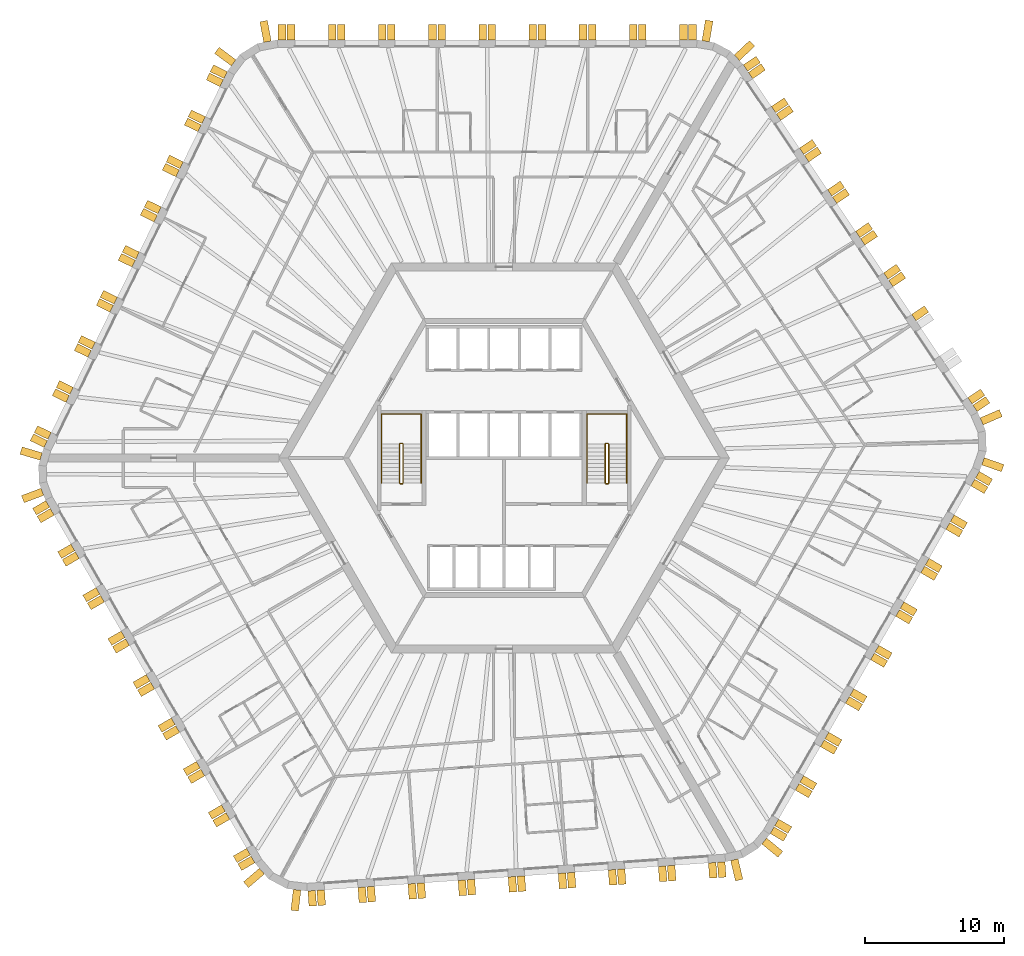
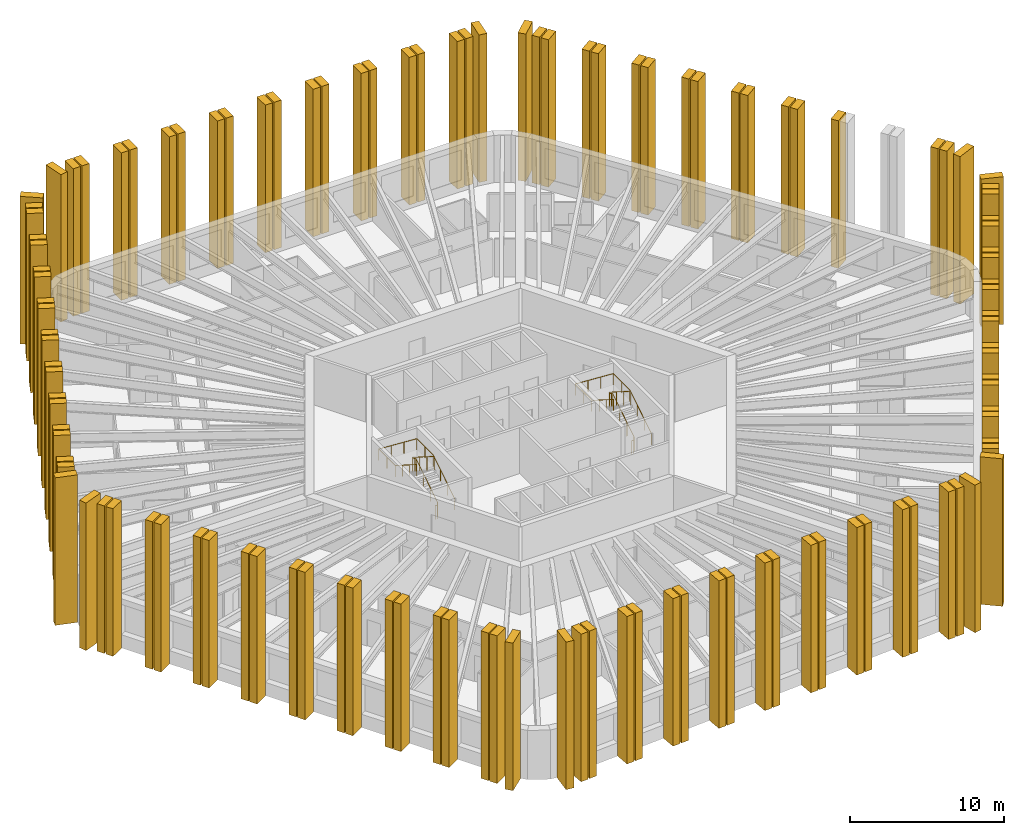
# One storey, part 11 of 12: 117 shading devices, 4 railings.
"""IFC4 building model written with IfcOpenShell, lengths in metres."""

import ifcopenshell
import ifcopenshell.guid

model = None  # the IFC model being written
_history = None  # IfcOwnerHistory: only IFC2X3 demands one
_inside = {}  # id of a spatial element -> (the spatial element, [elements in it])
_under = {}  # id of a project, library or spatial element -> (it, [spatial elements below it])
_declared = {}  # id of a project -> (the project, [libraries it declares])
_typed = {}  # id of a type object -> (the type object, [elements of that type])
_made_of = {}  # id of a material, layer set ... -> (it, [elements and type objects made of it])


def new_model(schema):
    """Start an empty IFC model of exactly this schema.

    Asked for "IFC4X3", IfcOpenShell would pick the latest addendum, in which some entities
    have other attributes; the version numbers below select the first issue.
    IFC2X3 requires an IfcOwnerHistory on every rooted entity: one is made here for all.
    """
    global model, _history
    if schema == "IFC4X3":
        model = ifcopenshell.file(schema_version=(4, 3, 0, 0))
    else:
        model = ifcopenshell.file(schema=schema)
    _inside.clear()
    _under.clear()
    _declared.clear()
    _typed.clear()
    _made_of.clear()
    _history = None
    if model.schema == "IFC2X3":
        org = make("IfcOrganization", Name="unknown")
        user = make(
            "IfcPersonAndOrganization",
            ThePerson=make("IfcPerson", FamilyName="unknown"),
            TheOrganization=org,
        )
        app = make(
            "IfcApplication",
            ApplicationDeveloper=org,
            Version="unknown",
            ApplicationFullName="unknown",
            ApplicationIdentifier="unknown",
        )
        _history = make(
            "IfcOwnerHistory",
            OwningUser=user,
            OwningApplication=app,
            ChangeAction="ADDED",
            CreationDate=0,
        )
    return model


def make(cls, **values):
    """One entity of the class cls with the attributes given. An attribute that is None is left unset."""
    return model.create_entity(
        cls, **{name: value for name, value in values.items() if value is not None}
    )


def rooted(cls, **values):
    """An entity with a GlobalId (a new one), such as an element, a storey or a relation."""
    return make(cls, GlobalId=ifcopenshell.guid.new(), OwnerHistory=_history, **values)


def si_unit(unit_type, name, prefix=None):
    """IfcSIUnit, for example si_unit("LENGTHUNIT", "METRE", prefix="MILLI")."""
    return make("IfcSIUnit", UnitType=unit_type, Prefix=prefix, Name=name)


def assignment(units):
    """IfcUnitAssignment: the units of a project."""
    return None if units is None else make("IfcUnitAssignment", Units=units)


def point(xyz):
    """IfcCartesianPoint."""
    return None if xyz is None else make("IfcCartesianPoint", Coordinates=xyz)


def direction(xyz):
    """IfcDirection."""
    return None if xyz is None else make("IfcDirection", DirectionRatios=xyz)


def frame(location, z_axis=None, x_axis=None):
    """IfcAxis2Placement3D, a coordinate frame: its origin and axes. An axis left out is left unset."""
    return make(
        "IfcAxis2Placement3D",
        Location=point(location),
        Axis=direction(z_axis),
        RefDirection=direction(x_axis),
    )


def frame_2d(location, x_axis=None):
    """IfcAxis2Placement2D, a coordinate frame in the plane: its origin and x axis."""
    return make(
        "IfcAxis2Placement2D", Location=point(location), RefDirection=direction(x_axis)
    )


def origin():
    """The frame at (0, 0, 0) with its axes left unset."""
    return frame((0.0, 0.0, 0.0))


def origin_2d():
    """The frame at (0, 0) in the plane with its x axis left unset."""
    return frame_2d((0.0, 0.0))


def place(relative_to, where):
    """IfcLocalPlacement: puts the frame where relative to a parent placement (None: the world)."""
    return make(
        "IfcLocalPlacement", PlacementRelTo=relative_to, RelativePlacement=where
    )


def context(
    kind, dimensions, precision=None, world=None, true_north=None, identifier=None
):
    """IfcGeometricRepresentationContext, for example the 3D "Model" context."""
    return make(
        "IfcGeometricRepresentationContext",
        ContextIdentifier=identifier,
        ContextType=kind,
        CoordinateSpaceDimension=dimensions,
        Precision=precision,
        WorldCoordinateSystem=world,
        TrueNorth=true_north,
    )


def subcontext(parent, identifier, kind, view, scale=None):
    """IfcGeometricRepresentationSubContext, for example "Body" below "Model"."""
    return make(
        "IfcGeometricRepresentationSubContext",
        ContextIdentifier=identifier,
        ContextType=kind,
        ParentContext=parent,
        TargetScale=scale,
        TargetView=view,
    )


def project(units=None, contexts=None):
    """IfcProject with its units and contexts."""
    return rooted(
        "IfcProject",
        Name="project",
        RepresentationContexts=contexts,
        UnitsInContext=assignment(units),
    )


def spatial(cls, under=None, at=None, **own):
    """A site, building, storey or space (cls), placed at a placement, below another one or the project."""
    s = rooted(cls, ObjectPlacement=at, **own)
    if under is not None:
        _under.setdefault(under.id(), (under, []))[1].append(s)
    return s


def polyline(points):
    """IfcPolyline through the points."""
    return make("IfcPolyline", Points=[point(p) for p in points])


def profile(cls, at=None, kind="AREA", **sizes):
    """A parametric profile (cls). Its sizes go by their IFC names, for example OverallWidth=200.0."""
    return make(cls, ProfileType=kind, Position=at, **sizes)


def circle(**sizes):
    """IfcCircleProfileDef."""
    return profile("IfcCircleProfileDef", **sizes)


def outline(outer, holes=None, kind="AREA"):
    """IfcArbitraryClosedProfileDef: a profile drawn as a closed curve; with holes, ...WithVoids."""
    if holes is None:
        return make("IfcArbitraryClosedProfileDef", ProfileType=kind, OuterCurve=outer)
    return make(
        "IfcArbitraryProfileDefWithVoids",
        ProfileType=kind,
        OuterCurve=outer,
        InnerCurves=holes,
    )


def extrude(swept, where, along, depth):
    """IfcExtrudedAreaSolid: the profile swept, set in the frame where, extruded along a direction by depth."""
    return make(
        "IfcExtrudedAreaSolid",
        SweptArea=swept,
        Position=where,
        ExtrudedDirection=direction(along),
        Depth=depth,
    )


def shape(context_of_items, identifier, shape_type, items):
    """IfcShapeRepresentation: the items that make up one representation, for example the "Body"."""
    return make(
        "IfcShapeRepresentation",
        ContextOfItems=context_of_items,
        RepresentationIdentifier=identifier,
        RepresentationType=shape_type,
        Items=items,
    )


def material(Name=None, Category=None):
    """IfcMaterial."""
    return make("IfcMaterial", Name=Name, Category=Category)


def layer(
    of_material, thickness, ventilated=None, Name=None, Category=None, Priority=None
):
    """IfcMaterialLayer: one layer of a wall or slab, of a material (None: an air gap)."""
    return make(
        "IfcMaterialLayer",
        Material=of_material,
        LayerThickness=thickness,
        IsVentilated=ventilated,
        Name=Name,
        Category=Category,
        Priority=Priority,
    )


def layer_set(layers, Name=None):
    """IfcMaterialLayerSet."""
    return make("IfcMaterialLayerSet", MaterialLayers=layers, LayerSetName=Name)


def made_of(thing, what):
    """Note that an element or type object is made of a material, layer set ...; save() writes the relation."""
    if what is not None:
        _made_of.setdefault(what.id(), (what, []))[1].append(thing)
    return thing


def type_object(cls, material=None, **own):
    """A type object (cls), such as IfcWallType, which elements share."""
    return made_of(rooted(cls, **own), material)


def element(
    cls,
    number,
    at=None,
    inside=None,
    cuts=None,
    type_object=None,
    material=None,
    context=None,
    identifier="Body",
    shape_type=None,
    held_by="IfcProductDefinitionShape",
    body=None,
    shapes=None,
    **own,
):
    """One element of the class cls, such as IfcWall. Its Tag is "e" and its number.

    at: its placement. inside: the storey or other place that contains it. cuts: it is an
    opening in that element (IfcRelVoidsElement). A single representation is given by context,
    identifier, shape_type and body (its items); several are given by shapes. held_by: the class
    of the entity that holds the representations. save() writes the other relations.
    """
    e = rooted(cls, Tag="e%d" % number, ObjectPlacement=at, **own)
    if body is not None:
        shapes = [shape(context, identifier, shape_type, body)]
    if shapes is not None:
        e.Representation = make(held_by, Representations=shapes)
    if inside is not None:
        _inside.setdefault(inside.id(), (inside, []))[1].append(e)
    if cuts is not None:
        rooted(
            "IfcRelVoidsElement", RelatingBuildingElement=cuts, RelatedOpeningElement=e
        )
    if type_object is not None:
        _typed.setdefault(type_object.id(), (type_object, []))[1].append(e)
    return made_of(e, material)


def aggregate(whole, parts):
    """IfcRelAggregates: a whole, such as a stair, and the parts it consists of."""
    return rooted("IfcRelAggregates", RelatingObject=whole, RelatedObjects=parts)


def save(model, path):
    """Write the relations noted so far, then the file.

    IfcRelAggregates (storeys below a building ...), IfcRelContainedInSpatialStructure (elements
    in a storey), IfcRelDefinesByType, IfcRelAssociatesMaterial and IfcRelDeclares: one each for
    every whole, place, type object, material and project.
    """
    for whole, parts in _under.values():
        aggregate(whole, parts)
    for where, things in _inside.values():
        rooted(
            "IfcRelContainedInSpatialStructure",
            RelatedElements=things,
            RelatingStructure=where,
        )
    for kind, things in _typed.values():
        rooted("IfcRelDefinesByType", RelatedObjects=things, RelatingType=kind)
    for what, things in _made_of.values():
        rooted("IfcRelAssociatesMaterial", RelatedObjects=things, RelatingMaterial=what)
    for by, libraries in _declared.values():
        rooted("IfcRelDeclares", RelatingContext=by, RelatedDefinitions=libraries)
    model.write(path)


model = new_model("IFC4")

# Units and contexts
model_context = context("Model", 3, precision=1e-05, world=origin(), true_north=direction((0.0, 1.0)))
body_context = subcontext(model_context, "Body", "Model", "MODEL_VIEW")
ifc_project = project(units=[si_unit("LENGTHUNIT", "METRE"), si_unit("AREAUNIT", "SQUARE_METRE"), si_unit("VOLUMEUNIT", "CUBIC_METRE"), si_unit("PLANEANGLEUNIT", "RADIAN"), si_unit("MASSUNIT", "GRAM", prefix="KILO")], contexts=[model_context])

# Site, building, storey
site_placement = place(None, origin())
site = spatial("IfcSite", under=ifc_project, at=site_placement, CompositionType="ELEMENT")
building_placement = place(site_placement, origin())
building = spatial("IfcBuilding", under=site, at=building_placement, Name="Tarnside Tower", CompositionType="ELEMENT")
storey_placement = place(building_placement, frame((0.0, 0.0, 37.5)))
storey = spatial("IfcBuildingStorey", under=building, at=storey_placement, Name="L06", CompositionType="ELEMENT", Elevation=37.5)

# Shading devices
ifc_material_1 = material(Name="Concrete C50/60 white precast", Category="concrete")
ifc_layer_1 = layer(ifc_material_1, 0.550048828125)
ifc_layer_set_1 = layer_set([ifc_layer_1], Name="Precast fin 550 x 1100")
shading_device_type_1 = type_object("IfcShadingDeviceType", Name="Precast fin 550 x 1100", PredefinedType="USERDEFINED", material=ifc_layer_set_1)
for number, where, z_axis, x_axis, name in (
    (1, (13.513916015625, 30.0, -0.14990234375), (1.0, 0.0, 0.0), (0.0, 1.0, 0.0), "Precast fin"),
    (2, (12.864013671875, 30.0, -0.14990234375), (1.0, 0.0, 0.0), (0.0, 1.0, 0.0), "Precast fin"),
    (3, (9.9140625, 30.0, -0.14990234375), (1.0, 0.0, 0.0), (0.0, 1.0, 0.0), "Precast fin"),
    (4, (9.263916015625, 30.0, -0.14990234375), (1.0, 0.0, 0.0), (0.0, 1.0, 0.0), "Precast fin"),
    (5, (6.31396484375, 30.0, -0.14990234375), (1.0, 0.0, 0.0), (0.0, 1.0, 0.0), "Precast fin"),
    (6, (5.6640625, 30.0, -0.14990234375), (1.0, 0.0, 0.0), (0.0, 1.0, 0.0), "Precast fin"),
    (7, (2.7138671875, 30.0, -0.14990234375), (1.0, 0.0, 0.0), (0.0, 1.0, 0.0), "Precast fin"),
    (8, (2.06396484375, 30.0, -0.14990234375), (1.0, 0.0, 0.0), (0.0, 1.0, 0.0), "Precast fin"),
    (9, (-0.885986328125, 30.0, -0.14990234375), (1.0, 0.0, 0.0), (0.0, 1.0, 0.0), "Precast fin"),
    (10, (-1.5361328125, 30.0, -0.14990234375), (1.0, 0.0, 0.0), (0.0, 1.0, 0.0), "Precast fin"),
    (11, (-4.486083984375, 30.0, -0.14990234375), (1.0, 0.0, 0.0), (0.0, 1.0, 0.0), "Precast fin"),
    (12, (-5.135986328125, 30.0, -0.14990234375), (1.0, 0.0, 0.0), (0.0, 1.0, 0.0), "Precast fin"),
    (13, (-8.0859375, 30.0, -0.14990234375), (1.0, 0.0, 0.0), (0.0, 1.0, 0.0), "Precast fin"),
    (14, (-8.736083984375, 30.0, -0.14990234375), (1.0, 0.0, 0.0), (0.0, 1.0, 0.0), "Precast fin"),
    (15, (-11.68603515625, 30.0, -0.14990234375), (1.0, 0.0, 0.0), (0.0, 1.0, 0.0), "Precast fin"),
    (16, (-12.3359375, 30.0, -0.14990234375), (1.0, 0.0, 0.0), (0.0, 1.0, 0.0), "Precast fin"),
    (17, (-15.2861328125, 30.0, -0.14990234375), (1.0, 0.0, 0.0), (0.0, 1.0, 0.0), "Precast fin"),
    (18, (-15.93603515625, 30.0, -0.14990234375), (1.0, 0.0, 0.0), (0.0, 1.0, 0.0), "Precast fin"),
    (19, (-19.977783203125, 27.474365234375, -0.14990234375), (0.438371146789, 0.898794046299, 0.0), (-0.898794046299, 0.438371146789, 0.0), "Precast fin"),
    (20, (-20.262939453125, 26.89013671875, -0.14990234375), (0.438371146789, 0.898794046299, 0.0), (-0.898794046299, 0.438371146789, 0.0), "Precast fin"),
    (21, (-21.555908203125, 24.23876953125, -0.14990234375), (0.438371146789, 0.898794046299, 0.0), (-0.898794046299, 0.438371146789, 0.0), "Precast fin"),
    (22, (-21.841064453125, 23.654541015625, -0.14990234375), (0.438371146789, 0.898794046299, 0.0), (-0.898794046299, 0.438371146789, 0.0), "Precast fin"),
    (23, (-23.13427734375, 21.003173828125, -0.14990234375), (0.438371146789, 0.898794046299, 0.0), (-0.898794046299, 0.438371146789, 0.0), "Precast fin"),
    (24, (-23.419189453125, 20.4189453125, -0.14990234375), (0.438371146789, 0.898794046299, 0.0), (-0.898794046299, 0.438371146789, 0.0), "Precast fin"),
    (25, (-24.71240234375, 17.767333984375, -0.14990234375), (0.438371146789, 0.898794046299, 0.0), (-0.898794046299, 0.438371146789, 0.0), "Precast fin"),
    (26, (-24.997314453125, 17.18310546875, -0.14990234375), (0.438371146789, 0.898794046299, 0.0), (-0.898794046299, 0.438371146789, 0.0), "Precast fin"),
    (27, (-26.29052734375, 14.53173828125, -0.14990234375), (0.438371146789, 0.898794046299, 0.0), (-0.898794046299, 0.438371146789, 0.0), "Precast fin"),
    (28, (-26.575439453125, 13.947509765625, -0.14990234375), (0.438371146789, 0.898794046299, 0.0), (-0.898794046299, 0.438371146789, 0.0), "Precast fin"),
    (29, (-27.86865234375, 11.296142578125, -0.14990234375), (0.438371146789, 0.898794046299, 0.0), (-0.898794046299, 0.438371146789, 0.0), "Precast fin"),
    (30, (-28.153564453125, 10.7119140625, -0.14990234375), (0.438371146789, 0.898794046299, 0.0), (-0.898794046299, 0.438371146789, 0.0), "Precast fin"),
    (31, (-29.44677734375, 8.060546875, -0.14990234375), (0.438371146789, 0.898794046299, 0.0), (-0.898794046299, 0.438371146789, 0.0), "Precast fin"),
    (32, (-29.731689453125, 7.476318359375, -0.14990234375), (0.438371146789, 0.898794046299, 0.0), (-0.898794046299, 0.438371146789, 0.0), "Precast fin"),
    (33, (-31.02490234375, 4.82470703125, -0.14990234375), (0.438371146789, 0.898794046299, 0.0), (-0.898794046299, 0.438371146789, 0.0), "Precast fin"),
    (34, (-31.309814453125, 4.240478515625, -0.14990234375), (0.438371146789, 0.898794046299, 0.0), (-0.898794046299, 0.438371146789, 0.0), "Precast fin"),
    (35, (-32.60302734375, 1.589111328125, -0.14990234375), (0.438371146789, 0.898794046299, 0.0), (-0.898794046299, 0.438371146789, 0.0), "Precast fin"),
    (36, (-32.887939453125, 1.0048828125, -0.14990234375), (0.438371146789, 0.898794046299, 0.0), (-0.898794046299, 0.438371146789, 0.0), "Precast fin"),
    (37, (-32.73779296875, -3.296630859375, -0.14990234375), (-0.5, 0.866025403784, 0.0), (-0.866025403784, -0.5, 0.0), "Precast fin"),
    (38, (-32.412841796875, -3.859375, -0.14990234375), (-0.5, 0.866025403784, 0.0), (-0.866025403784, -0.5, 0.0), "Precast fin"),
    (39, (-30.937744140625, -6.414306640625, -0.14990234375), (-0.5, 0.866025403784, 0.0), (-0.866025403784, -0.5, 0.0), "Precast fin"),
    (40, (-30.61279296875, -6.977294921875, -0.14990234375), (-0.5, 0.866025403784, 0.0), (-0.866025403784, -0.5, 0.0), "Precast fin"),
    (41, (-29.1376953125, -9.531982421875, -0.14990234375), (-0.5, 0.866025403784, 0.0), (-0.866025403784, -0.5, 0.0), "Precast fin"),
    (42, (-28.812744140625, -10.094970703125, -0.14990234375), (-0.5, 0.866025403784, 0.0), (-0.866025403784, -0.5, 0.0), "Precast fin"),
    (43, (-27.337646484375, -12.649658203125, -0.14990234375), (-0.5, 0.866025403784, 0.0), (-0.866025403784, -0.5, 0.0), "Precast fin"),
    (44, (-27.0126953125, -13.212646484375, -0.14990234375), (-0.5, 0.866025403784, 0.0), (-0.866025403784, -0.5, 0.0), "Precast fin"),
    (45, (-25.537841796875, -15.767333984375, -0.14990234375), (-0.5, 0.866025403784, 0.0), (-0.866025403784, -0.5, 0.0), "Precast fin"),
    (46, (-25.212646484375, -16.330322265625, -0.14990234375), (-0.5, 0.866025403784, 0.0), (-0.866025403784, -0.5, 0.0), "Precast fin"),
    (47, (-23.73779296875, -18.885009765625, -0.14990234375), (-0.5, 0.866025403784, 0.0), (-0.866025403784, -0.5, 0.0), "Precast fin"),
    (48, (-23.412841796875, -19.447998046875, -0.14990234375), (-0.5, 0.866025403784, 0.0), (-0.866025403784, -0.5, 0.0), "Precast fin"),
    (49, (-21.937744140625, -22.002685546875, -0.14990234375), (-0.5, 0.866025403784, 0.0), (-0.866025403784, -0.5, 0.0), "Precast fin"),
    (50, (-21.61279296875, -22.565673828125, -0.14990234375), (-0.5, 0.866025403784, 0.0), (-0.866025403784, -0.5, 0.0), "Precast fin"),
    (51, (-20.1376953125, -25.120361328125, -0.14990234375), (-0.5, 0.866025403784, 0.0), (-0.866025403784, -0.5, 0.0), "Precast fin"),
    (52, (-19.812744140625, -25.683349609375, -0.14990234375), (-0.5, 0.866025403784, 0.0), (-0.866025403784, -0.5, 0.0), "Precast fin"),
    (53, (-18.337646484375, -28.238037109375, -0.14990234375), (-0.5, 0.866025403784, 0.0), (-0.866025403784, -0.5, 0.0), "Precast fin"),
    (54, (-18.0126953125, -28.801025390625, -0.14990234375), (-0.5, 0.866025403784, 0.0), (-0.866025403784, -0.5, 0.0), "Precast fin"),
    (55, (-13.8046875, -31.03857421875, -0.14990234375), (-0.99756405026, -0.069756473744, 0.0), (0.069756473744, -0.99756405026, 0.0), "Precast fin"),
    (56, (-13.15625, -30.9931640625, -0.14990234375), (-0.99756405026, -0.069756473744, 0.0), (0.069756473744, -0.99756405026, 0.0), "Precast fin"),
    (57, (-10.21337890625, -30.787353515625, -0.14990234375), (-0.99756405026, -0.069756473744, 0.0), (0.069756473744, -0.99756405026, 0.0), "Precast fin"),
    (58, (-9.56494140625, -30.7421875, -0.14990234375), (-0.99756405026, -0.069756473744, 0.0), (0.069756473744, -0.99756405026, 0.0), "Precast fin"),
    (59, (-6.6220703125, -30.536376953125, -0.14990234375), (-0.99756405026, -0.069756473744, 0.0), (0.069756473744, -0.99756405026, 0.0), "Precast fin"),
    (60, (-5.9736328125, -30.490966796875, -0.14990234375), (-0.99756405026, -0.069756473744, 0.0), (0.069756473744, -0.99756405026, 0.0), "Precast fin"),
    (61, (-3.031005859375, -30.28515625, -0.14990234375), (-0.99756405026, -0.069756473744, 0.0), (0.069756473744, -0.99756405026, 0.0), "Precast fin"),
    (62, (-2.382568359375, -30.23974609375, -0.14990234375), (-0.99756405026, -0.069756473744, 0.0), (0.069756473744, -0.99756405026, 0.0), "Precast fin"),
    (63, (0.560302734375, -30.0341796875, -0.14990234375), (-0.99756405026, -0.069756473744, 0.0), (0.069756473744, -0.99756405026, 0.0), "Precast fin"),
    (64, (1.208740234375, -29.98876953125, -0.14990234375), (-0.99756405026, -0.069756473744, 0.0), (0.069756473744, -0.99756405026, 0.0), "Precast fin"),
    (65, (4.151611328125, -29.782958984375, -0.14990234375), (-0.99756405026, -0.069756473744, 0.0), (0.069756473744, -0.99756405026, 0.0), "Precast fin"),
    (66, (4.800048828125, -29.737548828125, -0.14990234375), (-0.99756405026, -0.069756473744, 0.0), (0.069756473744, -0.99756405026, 0.0), "Precast fin"),
    (67, (7.74267578125, -29.53173828125, -0.14990234375), (-0.99756405026, -0.069756473744, 0.0), (0.069756473744, -0.99756405026, 0.0), "Precast fin"),
    (68, (8.39111328125, -29.486572265625, -0.14990234375), (-0.99756405026, -0.069756473744, 0.0), (0.069756473744, -0.99756405026, 0.0), "Precast fin"),
    (69, (11.333984375, -29.28076171875, -0.14990234375), (-0.99756405026, -0.069756473744, 0.0), (0.069756473744, -0.99756405026, 0.0), "Precast fin"),
    (70, (11.982421875, -29.2353515625, -0.14990234375), (-0.99756405026, -0.069756473744, 0.0), (0.069756473744, -0.99756405026, 0.0), "Precast fin"),
    (71, (14.92529296875, -29.029541015625, -0.14990234375), (-0.99756405026, -0.069756473744, 0.0), (0.069756473744, -0.99756405026, 0.0), "Precast fin"),
    (72, (15.57373046875, -28.984130859375, -0.14990234375), (-0.99756405026, -0.069756473744, 0.0), (0.069756473744, -0.99756405026, 0.0), "Precast fin"),
    (73, (19.223876953125, -26.703369140625, -0.14990234375), (-0.5, -0.866025403784, 0.0), (0.866025403784, -0.5, 0.0), "Precast fin"),
    (74, (19.548828125, -26.140625, -0.14990234375), (-0.5, -0.866025403784, 0.0), (0.866025403784, -0.5, 0.0), "Precast fin"),
    (75, (21.023681640625, -23.585693359375, -0.14990234375), (-0.5, -0.866025403784, 0.0), (0.866025403784, -0.5, 0.0), "Precast fin"),
    (76, (21.348876953125, -23.022705078125, -0.14990234375), (-0.5, -0.866025403784, 0.0), (0.866025403784, -0.5, 0.0), "Precast fin"),
    (77, (22.82373046875, -20.468017578125, -0.14990234375), (-0.5, -0.866025403784, 0.0), (0.866025403784, -0.5, 0.0), "Precast fin"),
    (78, (23.148681640625, -19.905029296875, -0.14990234375), (-0.5, -0.866025403784, 0.0), (0.866025403784, -0.5, 0.0), "Precast fin"),
    (79, (24.623779296875, -17.350341796875, -0.14990234375), (-0.5, -0.866025403784, 0.0), (0.866025403784, -0.5, 0.0), "Precast fin"),
    (80, (24.94873046875, -16.787353515625, -0.14990234375), (-0.5, -0.866025403784, 0.0), (0.866025403784, -0.5, 0.0), "Precast fin"),
    (81, (26.423828125, -14.232666015625, -0.14990234375), (-0.5, -0.866025403784, 0.0), (0.866025403784, -0.5, 0.0), "Precast fin"),
    (82, (26.748779296875, -13.669677734375, -0.14990234375), (-0.5, -0.866025403784, 0.0), (0.866025403784, -0.5, 0.0), "Precast fin"),
    (83, (28.223876953125, -11.114990234375, -0.14990234375), (-0.5, -0.866025403784, 0.0), (0.866025403784, -0.5, 0.0), "Precast fin"),
    (84, (28.548828125, -10.552001953125, -0.14990234375), (-0.5, -0.866025403784, 0.0), (0.866025403784, -0.5, 0.0), "Precast fin"),
    (85, (30.023681640625, -7.997314453125, -0.14990234375), (-0.5, -0.866025403784, 0.0), (0.866025403784, -0.5, 0.0), "Precast fin"),
    (86, (30.348876953125, -7.434326171875, -0.14990234375), (-0.5, -0.866025403784, 0.0), (0.866025403784, -0.5, 0.0), "Precast fin"),
    (87, (31.82373046875, -4.879638671875, -0.14990234375), (-0.5, -0.866025403784, 0.0), (0.866025403784, -0.5, 0.0), "Precast fin"),
    (88, (32.148681640625, -4.316650390625, -0.14990234375), (-0.5, -0.866025403784, 0.0), (0.866025403784, -0.5, 0.0), "Precast fin"),
    (89, (33.623779296875, -1.761962890625, -0.14990234375), (-0.5, -0.866025403784, 0.0), (0.866025403784, -0.5, 0.0), "Precast fin"),
    (90, (33.94873046875, -1.198974609375, -0.14990234375), (-0.5, -0.866025403784, 0.0), (0.866025403784, -0.5, 0.0), "Precast fin"),
    (91, (33.782470703125, 3.564208984375, -0.14990234375), (0.559192903471, -0.829037572555, 0.0), (0.829037572555, 0.559192903471, 0.0), "Precast fin"),
    (92, (33.4189453125, 4.10302734375, -0.14990234375), (0.559192903471, -0.829037572555, 0.0), (0.829037572555, 0.559192903471, 0.0), "Precast fin"),
    (93, (29.392822265625, 10.072021484375, -0.14990234375), (0.559192903471, -0.829037572555, 0.0), (0.829037572555, 0.559192903471, 0.0), "Precast fin"),
    (94, (27.7431640625, 12.517822265625, -0.14990234375), (0.559192903471, -0.829037572555, 0.0), (0.829037572555, 0.559192903471, 0.0), "Precast fin"),
    (95, (27.379638671875, 13.056640625, -0.14990234375), (0.559192903471, -0.829037572555, 0.0), (0.829037572555, 0.559192903471, 0.0), "Precast fin"),
    (96, (25.730224609375, 15.502197265625, -0.14990234375), (0.559192903471, -0.829037572555, 0.0), (0.829037572555, 0.559192903471, 0.0), "Precast fin"),
    (97, (25.36669921875, 16.041259765625, -0.14990234375), (0.559192903471, -0.829037572555, 0.0), (0.829037572555, 0.559192903471, 0.0), "Precast fin"),
    (98, (23.717041015625, 18.48681640625, -0.14990234375), (0.559192903471, -0.829037572555, 0.0), (0.829037572555, 0.559192903471, 0.0), "Precast fin"),
    (99, (23.353515625, 19.025634765625, -0.14990234375), (0.559192903471, -0.829037572555, 0.0), (0.829037572555, 0.559192903471, 0.0), "Precast fin"),
    (100, (21.703857421875, 21.471435546875, -0.14990234375), (0.559192903471, -0.829037572555, 0.0), (0.829037572555, 0.559192903471, 0.0), "Precast fin"),
    (101, (21.34033203125, 22.01025390625, -0.14990234375), (0.559192903471, -0.829037572555, 0.0), (0.829037572555, 0.559192903471, 0.0), "Precast fin"),
    (102, (19.69091796875, 24.455810546875, -0.14990234375), (0.559192903471, -0.829037572555, 0.0), (0.829037572555, 0.559192903471, 0.0), "Precast fin"),
    (103, (19.327392578125, 24.994873046875, -0.14990234375), (0.559192903471, -0.829037572555, 0.0), (0.829037572555, 0.559192903471, 0.0), "Precast fin"),
    (104, (17.677734375, 27.4404296875, -0.14990234375), (0.559192903471, -0.829037572555, 0.0), (0.829037572555, 0.559192903471, 0.0), "Precast fin"),
    (105, (17.314208984375, 27.979248046875, -0.14990234375), (0.559192903471, -0.829037572555, 0.0), (0.829037572555, 0.559192903471, 0.0), "Precast fin"),
):
    element("IfcShadingDevice", number, at=place(storey_placement, frame(where, z_axis=z_axis, x_axis=x_axis)), inside=storey, type_object=shading_device_type_1, Name=name, ObjectType="FIN", PredefinedType="USERDEFINED", context=body_context, shape_type="SweptSolid", body=[
        extrude(outline(polyline([(0.0, 0.0), (1.10009765625, 0.0), (1.10009765625, 11.699951171875), (0.0, 11.699951171875), (0.0, 0.0)])), frame((0.0, 0.0, -0.27490234375)), (0.0, 0.0, 1.0), 0.550048828125),
    ])
ifc_layer_2 = layer(ifc_material_1, 0.550048828125)
ifc_layer_set_2 = layer_set([ifc_layer_2], Name="Precast fin 550 x 1500")
shading_device_type_2 = type_object("IfcShadingDeviceType", Name="Precast fin 550 x 1500", PredefinedType="USERDEFINED", material=ifc_layer_set_2)
for number, where, z_axis, x_axis, name in (
    (106, (-16.97509765625, 29.86767578125, -0.14990234375), (0.982720646705, 0.18509492305, 0.0), (-0.18509492305, 0.982720646705, 0.0), "Precast fin"),
    (107, (-19.403564453125, 28.35009765625, -0.14990234375), (0.597158591707, 0.802123192752, 0.0), (-0.802123192752, 0.597158591707, 0.0), "Precast fin"),
    (108, (-33.213623046875, 0.10546875, -0.14990234375), (0.286803232717, 0.957989512314, 0.0), (-0.957989512314, 0.286803232717, 0.0), "Precast fin"),
    (109, (-33.125244140625, -2.422119140625, -0.14990234375), (-0.352930564719, 0.935649515837, 0.0), (-0.935649515837, -0.352930564719, 0.0), "Precast fin"),
    (110, (-17.378662109375, -29.634765625, -0.14990234375), (-0.651657228826, 0.758513583345, 0.0), (-0.758513583345, -0.651657228826, 0.0), "Precast fin"),
    (111, (-14.850341796875, -30.97900390625, -0.14990234375), (-0.993238357741, 0.116092914131, 0.0), (-0.116092914131, -0.993238357741, 0.0), "Precast fin"),
    (112, (16.515625, -28.81640625, -0.14990234375), (-0.973044870581, -0.230615870737, 0.0), (0.230615870737, -0.973044870581, 0.0), "Precast fin"),
    (113, (18.66015625, -27.476318359375, -0.14990234375), (-0.633830967394, -0.773471592738, 0.0), (0.773471592738, -0.633830967394, 0.0), "Precast fin"),
    (114, (34.353759765625, -0.23291015625, -0.14990234375), (-0.331063417879, -0.943608506396, 0.0), (0.943608506396, -0.331063417879, 0.0), "Precast fin"),
    (115, (34.253662109375, 2.62890625, -0.14990234375), (0.396079766034, -0.918216106883, 0.0), (0.918216106883, 0.396079766034, 0.0), "Precast fin"),
    (116, (16.697998046875, 28.711181640625, -0.14990234375), (0.686241637865, -0.727373641577, 0.0), (0.727373641577, 0.686241637865, 0.0), "Precast fin"),
    (117, (14.465087890625, 29.8984375, -0.14990234375), (0.986761532114, -0.1621779231, 0.0), (0.1621779231, 0.986761532114, 0.0), "Precast fin"),
):
    element("IfcShadingDevice", number, at=place(storey_placement, frame(where, z_axis=z_axis, x_axis=x_axis)), inside=storey, type_object=shading_device_type_2, Name=name, ObjectType="FIN", PredefinedType="USERDEFINED", context=body_context, shape_type="SweptSolid", body=[
        extrude(outline(polyline([(0.0, 0.0), (1.5, 0.0), (1.5, 11.699951171875), (0.0, 11.699951171875), (0.0, 0.0)])), frame((0.0, 0.0, -0.27490234375)), (0.0, 0.0, 1.0), 0.550048828125),
    ])

# Railings
ifc_material_2 = material(Name="Stainless steel", Category="steel")
railing_type_1 = type_object("IfcRailingType", Name="Stair guard 1100", PredefinedType="GUARDRAIL", material=ifc_material_2)
railing_1_placement = place(storey_placement, frame((7.300048828125, -1.85009765625, 0.0)))
element("IfcRailing", 118, at=railing_1_placement, inside=storey, type_object=railing_type_1, Name="L06 ST1 stair guard 1", PredefinedType="GUARDRAIL", context=body_context, shape_type="SweptSolid", body=[
    extrude(circle(Radius=0.02392578125, at=origin_2d()), frame((0.0, 0.0, 1.076171875), z_axis=(1.0, 0.0, 0.0), x_axis=(0.0, 1.0, 0.0)), (0.0, 0.0, 1.0), 0.14990234375),
    extrude(circle(Radius=0.02392578125, at=origin_2d()), frame((0.14990234375, 0.0, 1.076171875), z_axis=(0.262233686654, 0.262233686654, 0.928691007369), x_axis=(-0.707106781187, 0.707106781187, 0.0)), (0.0, 0.0, 1.0), 0.19091796875),
    extrude(circle(Radius=0.02392578125, at=origin_2d()), frame((0.199951171875, 0.050048828125, 1.25341796875), z_axis=(0.0, 0.844908973607, 0.534910110503), x_axis=(-1.0, 0.0, 0.0)), (0.0, 0.0, 1.0), 3.31396484375),
    extrude(circle(Radius=0.02392578125, at=origin_2d()), frame((0.199951171875, 2.85009765625, 3.02587890625), z_axis=(-0.707106781187, 0.707106781187, 0.0), x_axis=(-0.707106781187, -0.707106781187, 0.0)), (0.0, 0.0, 1.0), 0.07080078125),
    extrude(circle(Radius=0.02392578125, at=origin_2d()), frame((0.14990234375, 2.900146484375, 3.02587890625), z_axis=(-1.0, 0.0, 0.0), x_axis=(0.0, -1.0, 0.0)), (0.0, 0.0, 1.0), 0.14990234375),
    extrude(circle(Radius=0.02392578125, at=origin_2d()), frame((0.0, 2.900146484375, 3.02587890625), z_axis=(-0.262233686654, -0.262233686654, 0.928691007369), x_axis=(0.707106781187, -0.707106781187, 0.0)), (0.0, 0.0, 1.0), 0.19091796875),
    extrude(circle(Radius=0.02392578125, at=origin_2d()), frame((-0.050048828125, 2.85009765625, 3.203125), z_axis=(0.0, -0.844908973607, 0.534910110503), x_axis=(1.0, 0.0, 0.0)), (0.0, 0.0, 1.0), 3.31396484375),
    extrude(circle(Radius=0.02099609375, at=origin_2d()), origin(), (0.0, 0.0, 1.0), 1.052001953125),
    extrude(circle(Radius=0.02099609375, at=origin_2d()), frame((0.14990234375, 0.0, 0.0)), (0.0, 0.0, 1.0), 1.052001953125),
    extrude(circle(Radius=0.02099609375, at=origin_2d()), frame((0.199951171875, 0.050048828125, 0.17724609375)), (0.0, 0.0, 1.0), 1.052001953125),
    extrude(circle(Radius=0.02099609375, at=origin_2d()), frame((0.199951171875, 0.9833984375, 0.76806640625)), (0.0, 0.0, 1.0), 1.052001953125),
    extrude(circle(Radius=0.02099609375, at=origin_2d()), frame((0.199951171875, 1.916748046875, 1.359130859375)), (0.0, 0.0, 1.0), 1.052001953125),
    extrude(circle(Radius=0.02099609375, at=origin_2d()), frame((0.199951171875, 2.85009765625, 1.949951171875)), (0.0, 0.0, 1.0), 1.052001953125),
    extrude(circle(Radius=0.02099609375, at=origin_2d()), frame((0.14990234375, 2.900146484375, 1.949951171875)), (0.0, 0.0, 1.0), 1.052001953125),
    extrude(circle(Radius=0.02099609375, at=origin_2d()), frame((0.0, 2.900146484375, 1.949951171875)), (0.0, 0.0, 1.0), 1.052001953125),
    extrude(circle(Radius=0.02099609375, at=origin_2d()), frame((-0.050048828125, 2.85009765625, 2.127197265625)), (0.0, 0.0, 1.0), 1.052001953125),
    extrude(circle(Radius=0.02099609375, at=origin_2d()), frame((-0.050048828125, 1.916748046875, 2.718017578125)), (0.0, 0.0, 1.0), 1.052001953125),
    extrude(circle(Radius=0.02099609375, at=origin_2d()), frame((-0.050048828125, 0.9833984375, 3.30908203125)), (0.0, 0.0, 1.0), 1.052001953125),
    extrude(circle(Radius=0.02099609375, at=origin_2d()), frame((-0.050048828125, 0.050048828125, 3.89990234375)), (0.0, 0.0, 1.0), 1.052001953125),
])
railing_2_placement = place(storey_placement, frame((-7.449951171875, -1.85009765625, 0.0)))
element("IfcRailing", 119, at=railing_2_placement, inside=storey, type_object=railing_type_1, Name="L06 ST2 stair guard 1", PredefinedType="GUARDRAIL", context=body_context, shape_type="SweptSolid", body=[
    extrude(circle(Radius=0.02392578125, at=origin_2d()), frame((0.0, 0.0, 1.076171875), z_axis=(1.0, 0.0, 0.0), x_axis=(0.0, 1.0, 0.0)), (0.0, 0.0, 1.0), 0.14990234375),
    extrude(circle(Radius=0.02392578125, at=origin_2d()), frame((0.14990234375, 0.0, 1.076171875), z_axis=(0.262233686654, 0.262233686654, 0.928691007369), x_axis=(-0.707106781187, 0.707106781187, 0.0)), (0.0, 0.0, 1.0), 0.19091796875),
    extrude(circle(Radius=0.02392578125, at=origin_2d()), frame((0.199951171875, 0.050048828125, 1.25341796875), z_axis=(0.0, 0.844908973607, 0.534910110503), x_axis=(-1.0, 0.0, 0.0)), (0.0, 0.0, 1.0), 3.31396484375),
    extrude(circle(Radius=0.02392578125, at=origin_2d()), frame((0.199951171875, 2.85009765625, 3.02587890625), z_axis=(-0.707106781187, 0.707106781187, 0.0), x_axis=(-0.707106781187, -0.707106781187, 0.0)), (0.0, 0.0, 1.0), 0.07080078125),
    extrude(circle(Radius=0.02392578125, at=origin_2d()), frame((0.14990234375, 2.900146484375, 3.02587890625), z_axis=(-1.0, 0.0, 0.0), x_axis=(0.0, -1.0, 0.0)), (0.0, 0.0, 1.0), 0.14990234375),
    extrude(circle(Radius=0.02392578125, at=origin_2d()), frame((0.0, 2.900146484375, 3.02587890625), z_axis=(-0.262233686654, -0.262233686654, 0.928691007369), x_axis=(0.707106781187, -0.707106781187, 0.0)), (0.0, 0.0, 1.0), 0.19091796875),
    extrude(circle(Radius=0.02392578125, at=origin_2d()), frame((-0.050048828125, 2.85009765625, 3.203125), z_axis=(0.0, -0.844908973607, 0.534910110503), x_axis=(1.0, 0.0, 0.0)), (0.0, 0.0, 1.0), 3.31396484375),
    extrude(circle(Radius=0.02099609375, at=origin_2d()), origin(), (0.0, 0.0, 1.0), 1.052001953125),
    extrude(circle(Radius=0.02099609375, at=origin_2d()), frame((0.14990234375, 0.0, 0.0)), (0.0, 0.0, 1.0), 1.052001953125),
    extrude(circle(Radius=0.02099609375, at=origin_2d()), frame((0.199951171875, 0.050048828125, 0.17724609375)), (0.0, 0.0, 1.0), 1.052001953125),
    extrude(circle(Radius=0.02099609375, at=origin_2d()), frame((0.199951171875, 0.9833984375, 0.76806640625)), (0.0, 0.0, 1.0), 1.052001953125),
    extrude(circle(Radius=0.02099609375, at=origin_2d()), frame((0.199951171875, 1.916748046875, 1.359130859375)), (0.0, 0.0, 1.0), 1.052001953125),
    extrude(circle(Radius=0.02099609375, at=origin_2d()), frame((0.199951171875, 2.85009765625, 1.949951171875)), (0.0, 0.0, 1.0), 1.052001953125),
    extrude(circle(Radius=0.02099609375, at=origin_2d()), frame((0.14990234375, 2.900146484375, 1.949951171875)), (0.0, 0.0, 1.0), 1.052001953125),
    extrude(circle(Radius=0.02099609375, at=origin_2d()), frame((0.0, 2.900146484375, 1.949951171875)), (0.0, 0.0, 1.0), 1.052001953125),
    extrude(circle(Radius=0.02099609375, at=origin_2d()), frame((-0.050048828125, 2.85009765625, 2.127197265625)), (0.0, 0.0, 1.0), 1.052001953125),
    extrude(circle(Radius=0.02099609375, at=origin_2d()), frame((-0.050048828125, 1.916748046875, 2.718017578125)), (0.0, 0.0, 1.0), 1.052001953125),
    extrude(circle(Radius=0.02099609375, at=origin_2d()), frame((-0.050048828125, 0.9833984375, 3.30908203125)), (0.0, 0.0, 1.0), 1.052001953125),
    extrude(circle(Radius=0.02099609375, at=origin_2d()), frame((-0.050048828125, 0.050048828125, 3.89990234375)), (0.0, 0.0, 1.0), 1.052001953125),
])
railing_type_2 = type_object("IfcRailingType", Name="Stair handrail 900", PredefinedType="HANDRAIL", material=ifc_material_2)
railing_3_placement = place(storey_placement, frame((8.800048828125, -1.800048828125, 0.17724609375)))
element("IfcRailing", 120, at=railing_3_placement, inside=storey, type_object=railing_type_2, Name="L06 ST1 stair handrail 1", PredefinedType="HANDRAIL", context=body_context, shape_type="SweptSolid", body=[
    extrude(circle(Radius=0.02392578125, at=origin_2d()), frame((0.0, 0.0, 0.8857421875), z_axis=(0.0, 0.844908973607, 0.534910110503), x_axis=(-1.0, 0.0, 0.0)), (0.0, 0.0, 1.0), 3.31396484375),
    extrude(circle(Radius=0.02392578125, at=origin_2d()), frame((0.0, 2.800048828125, 2.65869140625), z_axis=(0.0, 1.0, 0.0), x_axis=(-1.0, 0.0, 0.0)), (0.0, 0.0, 1.0), 2.14990234375),
    extrude(circle(Radius=0.02392578125, at=origin_2d()), frame((0.0, 4.949951171875, 2.65869140625), z_axis=(-0.998071825391, 0.0, 0.06206956872), x_axis=(0.0, -1.0, 0.0)), (0.0, 0.0, 1.0), 2.855712890625),
    extrude(circle(Radius=0.02392578125, at=origin_2d()), frame((-2.85009765625, 4.949951171875, 2.8359375), z_axis=(0.0, -1.0, 0.0), x_axis=(1.0, 0.0, 0.0)), (0.0, 0.0, 1.0), 2.14990234375),
    extrude(circle(Radius=0.02392578125, at=origin_2d()), frame((-2.85009765625, 2.800048828125, 2.8359375), z_axis=(0.0, -0.844908973607, 0.534910110503), x_axis=(1.0, 0.0, 0.0)), (0.0, 0.0, 1.0), 3.31396484375),
    extrude(circle(Radius=0.02099609375, at=origin_2d()), origin(), (0.0, 0.0, 1.0), 0.86181640625),
    extrude(circle(Radius=0.02099609375, at=origin_2d()), frame((0.0, 0.933349609375, 0.5908203125)), (0.0, 0.0, 1.0), 0.86181640625),
    extrude(circle(Radius=0.02099609375, at=origin_2d()), frame((0.0, 1.86669921875, 1.181884765625)), (0.0, 0.0, 1.0), 0.86181640625),
    extrude(circle(Radius=0.02099609375, at=origin_2d()), frame((0.0, 2.800048828125, 1.772705078125)), (0.0, 0.0, 1.0), 0.86181640625),
    extrude(circle(Radius=0.02099609375, at=origin_2d()), frame((0.0, 3.875, 1.772705078125)), (0.0, 0.0, 1.0), 0.86181640625),
    extrude(circle(Radius=0.02099609375, at=origin_2d()), frame((0.0, 4.949951171875, 1.772705078125)), (0.0, 0.0, 1.0), 0.86181640625),
    extrude(circle(Radius=0.02099609375, at=origin_2d()), frame((-0.949951171875, 4.949951171875, 1.831787109375)), (0.0, 0.0, 1.0), 0.86181640625),
    extrude(circle(Radius=0.02099609375, at=origin_2d()), frame((-1.900146484375, 4.949951171875, 1.890869140625)), (0.0, 0.0, 1.0), 0.86181640625),
    extrude(circle(Radius=0.02099609375, at=origin_2d()), frame((-2.85009765625, 4.949951171875, 1.949951171875)), (0.0, 0.0, 1.0), 0.86181640625),
    extrude(circle(Radius=0.02099609375, at=origin_2d()), frame((-2.85009765625, 3.875, 1.949951171875)), (0.0, 0.0, 1.0), 0.86181640625),
    extrude(circle(Radius=0.02099609375, at=origin_2d()), frame((-2.85009765625, 2.800048828125, 1.949951171875)), (0.0, 0.0, 1.0), 0.86181640625),
    extrude(circle(Radius=0.02099609375, at=origin_2d()), frame((-2.85009765625, 1.86669921875, 2.540771484375)), (0.0, 0.0, 1.0), 0.86181640625),
    extrude(circle(Radius=0.02099609375, at=origin_2d()), frame((-2.85009765625, 0.933349609375, 3.1318359375)), (0.0, 0.0, 1.0), 0.86181640625),
    extrude(circle(Radius=0.02099609375, at=origin_2d()), frame((-2.85009765625, 0.0, 3.72265625)), (0.0, 0.0, 1.0), 0.86181640625),
])
railing_4_placement = place(storey_placement, frame((-5.949951171875, -1.800048828125, 0.17724609375)))
element("IfcRailing", 121, at=railing_4_placement, inside=storey, type_object=railing_type_2, Name="L06 ST2 stair handrail 1", PredefinedType="HANDRAIL", context=body_context, shape_type="SweptSolid", body=[
    extrude(circle(Radius=0.02392578125, at=origin_2d()), frame((0.0, 0.0, 0.8857421875), z_axis=(0.0, 0.844908973607, 0.534910110503), x_axis=(-1.0, 0.0, 0.0)), (0.0, 0.0, 1.0), 3.31396484375),
    extrude(circle(Radius=0.02392578125, at=origin_2d()), frame((0.0, 2.800048828125, 2.65869140625), z_axis=(0.0, 1.0, 0.0), x_axis=(-1.0, 0.0, 0.0)), (0.0, 0.0, 1.0), 2.14990234375),
    extrude(circle(Radius=0.02392578125, at=origin_2d()), frame((0.0, 4.949951171875, 2.65869140625), z_axis=(-0.998071825391, 0.0, 0.06206956872), x_axis=(0.0, -1.0, 0.0)), (0.0, 0.0, 1.0), 2.855712890625),
    extrude(circle(Radius=0.02392578125, at=origin_2d()), frame((-2.85009765625, 4.949951171875, 2.8359375), z_axis=(0.0, -1.0, 0.0), x_axis=(1.0, 0.0, 0.0)), (0.0, 0.0, 1.0), 2.14990234375),
    extrude(circle(Radius=0.02392578125, at=origin_2d()), frame((-2.85009765625, 2.800048828125, 2.8359375), z_axis=(0.0, -0.844908973607, 0.534910110503), x_axis=(1.0, 0.0, 0.0)), (0.0, 0.0, 1.0), 3.31396484375),
    extrude(circle(Radius=0.02099609375, at=origin_2d()), origin(), (0.0, 0.0, 1.0), 0.86181640625),
    extrude(circle(Radius=0.02099609375, at=origin_2d()), frame((0.0, 0.933349609375, 0.5908203125)), (0.0, 0.0, 1.0), 0.86181640625),
    extrude(circle(Radius=0.02099609375, at=origin_2d()), frame((0.0, 1.86669921875, 1.181884765625)), (0.0, 0.0, 1.0), 0.86181640625),
    extrude(circle(Radius=0.02099609375, at=origin_2d()), frame((0.0, 2.800048828125, 1.772705078125)), (0.0, 0.0, 1.0), 0.86181640625),
    extrude(circle(Radius=0.02099609375, at=origin_2d()), frame((0.0, 3.875, 1.772705078125)), (0.0, 0.0, 1.0), 0.86181640625),
    extrude(circle(Radius=0.02099609375, at=origin_2d()), frame((0.0, 4.949951171875, 1.772705078125)), (0.0, 0.0, 1.0), 0.86181640625),
    extrude(circle(Radius=0.02099609375, at=origin_2d()), frame((-0.949951171875, 4.949951171875, 1.831787109375)), (0.0, 0.0, 1.0), 0.86181640625),
    extrude(circle(Radius=0.02099609375, at=origin_2d()), frame((-1.900146484375, 4.949951171875, 1.890869140625)), (0.0, 0.0, 1.0), 0.86181640625),
    extrude(circle(Radius=0.02099609375, at=origin_2d()), frame((-2.85009765625, 4.949951171875, 1.949951171875)), (0.0, 0.0, 1.0), 0.86181640625),
    extrude(circle(Radius=0.02099609375, at=origin_2d()), frame((-2.85009765625, 3.875, 1.949951171875)), (0.0, 0.0, 1.0), 0.86181640625),
    extrude(circle(Radius=0.02099609375, at=origin_2d()), frame((-2.85009765625, 2.800048828125, 1.949951171875)), (0.0, 0.0, 1.0), 0.86181640625),
    extrude(circle(Radius=0.02099609375, at=origin_2d()), frame((-2.85009765625, 1.86669921875, 2.540771484375)), (0.0, 0.0, 1.0), 0.86181640625),
    extrude(circle(Radius=0.02099609375, at=origin_2d()), frame((-2.85009765625, 0.933349609375, 3.1318359375)), (0.0, 0.0, 1.0), 0.86181640625),
    extrude(circle(Radius=0.02099609375, at=origin_2d()), frame((-2.85009765625, 0.0, 3.72265625)), (0.0, 0.0, 1.0), 0.86181640625),
])

save(model, "model.ifc")
